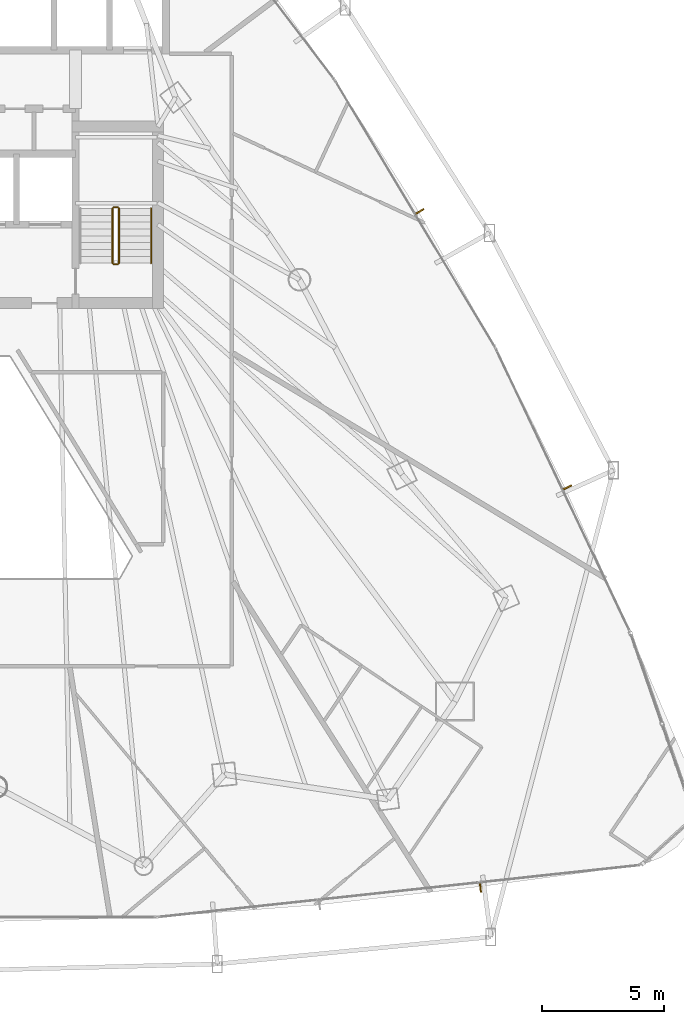
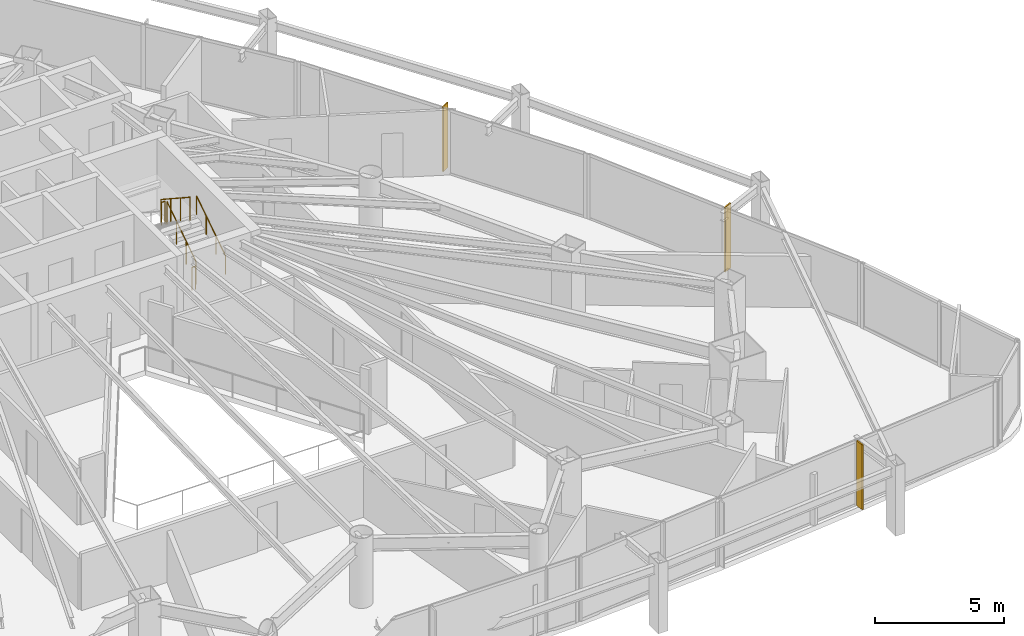
# One storey, part 37 of 38: 5 railings, 3 shading devices.
"""IFC4 building model written with IfcOpenShell, lengths in metres."""

from ifc_helpers import new_model, si_unit, direction, frame, origin, origin_2d, place, context, subcontext, project, spatial, rectangle, circle, extrude, material, layer, layer_set, type_object, element, save


model = new_model("IFC4")

# Units and contexts
model_context = context("Model", 3, precision=1e-05, world=origin(), true_north=direction((0.0, 1.0)))
body_context = subcontext(model_context, "Body", "Model", "MODEL_VIEW")
ifc_project = project(units=[si_unit("LENGTHUNIT", "METRE"), si_unit("AREAUNIT", "SQUARE_METRE"), si_unit("VOLUMEUNIT", "CUBIC_METRE"), si_unit("PLANEANGLEUNIT", "RADIAN"), si_unit("MASSUNIT", "GRAM", prefix="KILO")], contexts=[model_context])

# Site, building, storey
site_placement = place(None, origin())
site = spatial("IfcSite", under=ifc_project, at=site_placement, CompositionType="ELEMENT")
building_placement = place(site_placement, origin())
building = spatial("IfcBuilding", under=site, at=building_placement, Name="Orvanel Arch Residences", CompositionType="ELEMENT")
storey_placement = place(building_placement, frame((0.0, 0.0, 46.699951171875)))
storey = spatial("IfcBuildingStorey", under=building, at=storey_placement, Name="L12", CompositionType="ELEMENT", Elevation=46.699951171875)

# Shading devices
ifc_material_1 = material(Name="Bronze-anodised aluminium AA6063-T6", Category="aluminium")
ifc_layer = layer(ifc_material_1, 0.06005859375)
ifc_layer_set = layer_set([ifc_layer], Name="Bronze-anodised aluminium AA6063-T6")
shading_device_type = type_object("IfcShadingDeviceType", Name="FIN-BRZ-380", PredefinedType="USERDEFINED", material=ifc_layer_set)
for number, where, z_axis, x_axis, name in (
    (1, (52.85009765625, 2.716064453125, 0.0), (0.0, 0.0, 1.0), (0.106264071336, -0.994337944133, 0.0), "L12 Anodised Bronze Mullion FIN 02"),
    (2, (56.41796875, 19.1259765625, 0.0), (0.0, 0.0, 1.0), (0.903335292863, 0.428935133403, 0.0), "L12 Anodised Bronze Mullion FIN 01"),
    (3, (50.364013671875, 30.43798828125, 0.0), (0.0, 0.0, 1.0), (0.857167300702, 0.51503807491, 0.0), "L12 Anodised Bronze Mullion FIN 01"),
):
    element("IfcShadingDevice", number, at=place(storey_placement, frame(where, z_axis=z_axis, x_axis=x_axis)), inside=storey, type_object=shading_device_type, Name=name, ObjectType="FIN", PredefinedType="USERDEFINED", context=body_context, shape_type="SweptSolid", body=[
        extrude(rectangle(XDim=0.3798828125, YDim=0.06005859375, at=origin_2d()), origin(), (0.0, 0.0, 1.0), 3.06005859375),
    ])

# Railings
ifc_material_2 = material(Name="Structural steel AS/NZS 1163 C350L0 (Grade 350)", Category="steel")
railing_type_1 = type_object("IfcRailingType", Name="RL-STAIR-GUARD", PredefinedType="GUARDRAIL", material=ifc_material_2)
railing_1_placement = place(storey_placement, frame((38.030029296875, 28.320068359375, 0.183349609375)))
element("IfcRailing", 4, at=railing_1_placement, inside=storey, type_object=railing_type_1, Name="L12 ST-2 stair guard 1", PredefinedType="GUARDRAIL", context=body_context, shape_type="SweptSolid", body=[
    extrude(circle(Radius=0.02392578125, at=origin_2d()), frame((0.0, 0.001220703125, 1.076904296875), z_axis=(0.0, 0.836595146698, 0.547821650285), x_axis=(-1.0, 0.0, 0.0)), (0.0, 0.0, 1.0), 2.674560546875),
    extrude(circle(Radius=0.02099609375, at=origin_2d()), origin(), (0.0, 0.0, 1.0), 1.050048828125),
    extrude(circle(Radius=0.02099609375, at=origin_2d()), frame((0.0, 0.74658203125, 0.489013671875)), (0.0, 0.0, 1.0), 1.050048828125),
    extrude(circle(Radius=0.02099609375, at=origin_2d()), frame((0.0, 1.493408203125, 0.977783203125)), (0.0, 0.0, 1.0), 1.050048828125),
    extrude(circle(Radius=0.02099609375, at=origin_2d()), frame((0.0, 2.239990234375, 1.466796875)), (0.0, 0.0, 1.0), 1.050048828125),
])
railing_2_placement = place(storey_placement, frame((37.97998046875, 30.610107421875, 1.650146484375)))
element("IfcRailing", 5, at=railing_2_placement, inside=storey, type_object=railing_type_1, Name="L12 ST-2 stair guard 2", PredefinedType="GUARDRAIL", context=body_context, shape_type="SweptSolid", body=[
    extrude(circle(Radius=0.02392578125, at=origin_2d()), frame((-0.00146484375, 0.0, 1.076171875), z_axis=(-1.0, 0.0, 0.0), x_axis=(0.0, -1.0, 0.0)), (0.0, 0.0, 1.0), 0.156982421875),
    extrude(circle(Radius=0.02099609375, at=origin_2d()), origin(), (0.0, 0.0, 1.0), 1.050048828125),
    extrude(circle(Radius=0.02099609375, at=origin_2d()), frame((-0.159912109375, 0.0, 0.0)), (0.0, 0.0, 1.0), 1.050048828125),
])
railing_3_placement = place(storey_placement, frame((37.77001953125, 30.56005859375, 1.83349609375)))
element("IfcRailing", 6, at=railing_3_placement, inside=storey, type_object=railing_type_1, Name="L12 ST-2 stair guard 3", PredefinedType="GUARDRAIL", context=body_context, shape_type="SweptSolid", body=[
    extrude(circle(Radius=0.02392578125, at=origin_2d()), frame((0.0, -0.001220703125, 1.076904296875), z_axis=(0.0, -0.836636935527, 0.547757827979), x_axis=(1.0, 0.0, 0.0)), (0.0, 0.0, 1.0), 2.67431640625),
    extrude(circle(Radius=0.02099609375, at=origin_2d()), origin(), (0.0, 0.0, 1.0), 1.050048828125),
    extrude(circle(Radius=0.02099609375, at=origin_2d()), frame((0.0, -0.74658203125, 0.48876953125)), (0.0, 0.0, 1.0), 1.050048828125),
    extrude(circle(Radius=0.02099609375, at=origin_2d()), frame((0.0, -1.493408203125, 0.977783203125)), (0.0, 0.0, 1.0), 1.050048828125),
    extrude(circle(Radius=0.02099609375, at=origin_2d()), frame((0.0, -2.239990234375, 1.466552734375)), (0.0, 0.0, 1.0), 1.050048828125),
])
railing_4_placement = place(storey_placement, frame((37.97998046875, 28.27001953125, 0.0)))
element("IfcRailing", 7, at=railing_4_placement, inside=storey, type_object=railing_type_1, Name="L12 ST-2 stair guard 4", PredefinedType="GUARDRAIL", context=body_context, shape_type="SweptSolid", body=[
    extrude(circle(Radius=0.02392578125, at=origin_2d()), frame((-0.00146484375, 0.0, 1.076171875), z_axis=(-1.0, 0.0, 0.0), x_axis=(0.0, -1.0, 0.0)), (0.0, 0.0, 1.0), 0.156982421875),
    extrude(circle(Radius=0.02099609375, at=origin_2d()), origin(), (0.0, 0.0, 1.0), 1.050048828125),
    extrude(circle(Radius=0.02099609375, at=origin_2d()), frame((-0.159912109375, 0.0, 0.0)), (0.0, 0.0, 1.0), 1.050048828125),
])
railing_type_2 = type_object("IfcRailingType", Name="RL-STAIR-HAND", PredefinedType="HANDRAIL", material=ifc_material_2)
railing_5_placement = place(storey_placement, frame((39.35009765625, 28.320068359375, 0.183349609375)))
element("IfcRailing", 8, at=railing_5_placement, inside=storey, type_object=railing_type_2, Name="L12 ST-2 stair handrail 1", PredefinedType="HANDRAIL", context=body_context, shape_type="SweptSolid", body=[
    extrude(circle(Radius=0.02392578125, at=origin_2d()), frame((0.0, 0.001220703125, 0.876708984375), z_axis=(0.0, 0.836595146698, 0.547821650285), x_axis=(-1.0, 0.0, 0.0)), (0.0, 0.0, 1.0), 2.674560546875),
    extrude(circle(Radius=0.02099609375, at=origin_2d()), origin(), (0.0, 0.0, 1.0), 0.849853515625),
    extrude(circle(Radius=0.02099609375, at=origin_2d()), frame((0.0, 0.74658203125, 0.489013671875)), (0.0, 0.0, 1.0), 0.849853515625),
    extrude(circle(Radius=0.02099609375, at=origin_2d()), frame((0.0, 1.493408203125, 0.977783203125)), (0.0, 0.0, 1.0), 0.849853515625),
    extrude(circle(Radius=0.02099609375, at=origin_2d()), frame((0.0, 2.239990234375, 1.466796875)), (0.0, 0.0, 1.0), 0.849853515625),
])

save(model, "model.ifc")
